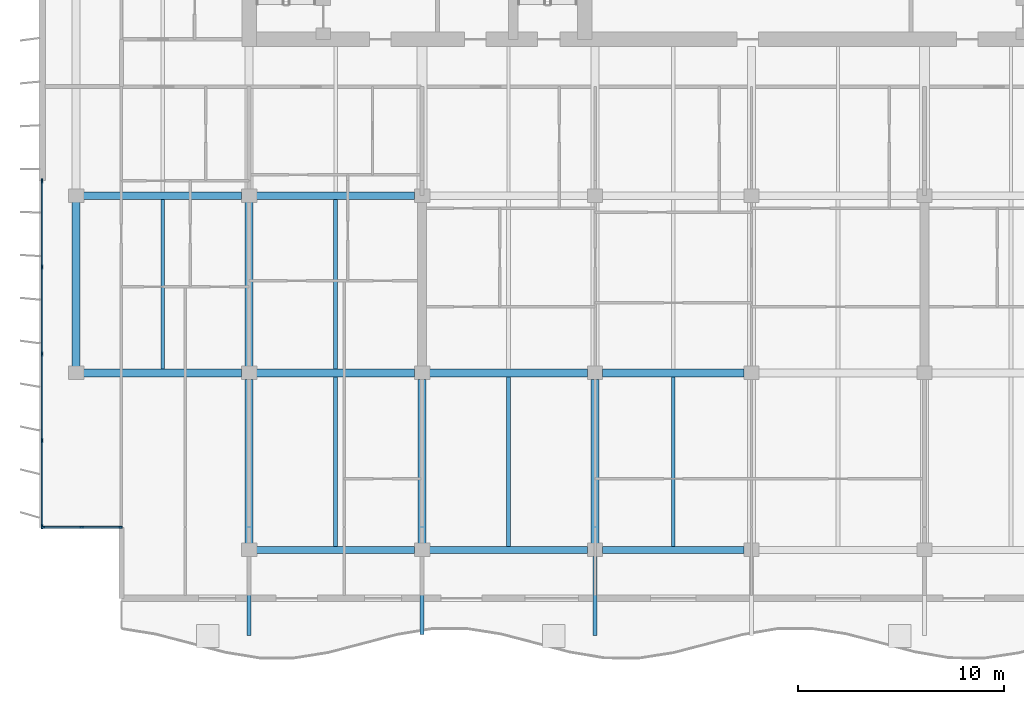
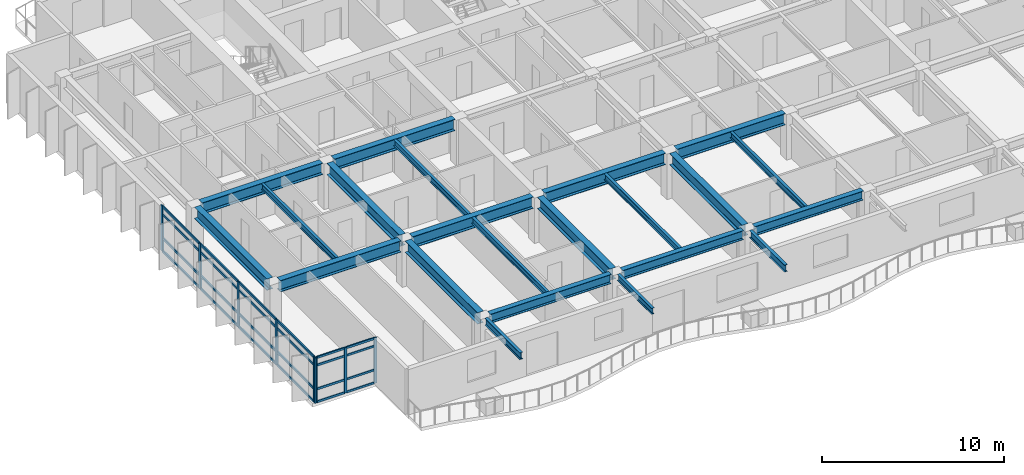
# One storey, part 2 of 16: 32 members, 22 beams, 2 elements without a shape of their own.
"""IFC4 building model written with IfcOpenShell, lengths in metres."""

from ifc_helpers import new_model, si_unit, direction, frame, origin, origin_2d, place, context, subcontext, project, spatial, rectangle, i_section, extrude, material, layer, layer_set, material_profile, profile_set, type_object, element, aggregate, save


model = new_model("IFC4")

# Units and contexts
model_context = context("Model", 3, precision=1e-05, world=origin(), true_north=direction((0.0, 1.0)))
body_context = subcontext(model_context, "Body", "Model", "MODEL_VIEW")
ifc_project = project(units=[si_unit("LENGTHUNIT", "METRE"), si_unit("AREAUNIT", "SQUARE_METRE"), si_unit("VOLUMEUNIT", "CUBIC_METRE"), si_unit("PLANEANGLEUNIT", "RADIAN"), si_unit("MASSUNIT", "GRAM", prefix="KILO")], contexts=[model_context])

# Site, building, storey
site_placement = place(None, origin())
site = spatial("IfcSite", under=ifc_project, at=site_placement, CompositionType="ELEMENT")
building_placement = place(site_placement, origin())
building = spatial("IfcBuilding", under=site, at=building_placement, Name="Caelmar Bay Residences", CompositionType="ELEMENT")
storey_placement = place(building_placement, frame((0.0, 0.0, 252.89990234375)))
storey = spatial("IfcBuildingStorey", under=building, at=storey_placement, Name="L71", CompositionType="ELEMENT", Elevation=252.89990234375)

# Beams
ifc_material_1 = material(Name="Steel ASTM A992 Grade 50", Category="steel")
ifc_material_profile_1 = material_profile(ifc_material_1, i_section(OverallWidth=0.177978515625, OverallDepth=0.406005859375, WebThickness=0.0078125, FlangeThickness=0.0126953125, FilletRadius=0.0087890625, at=origin_2d()), Name="W16X40")
ifc_profile_set_1 = profile_set([ifc_material_profile_1], Name="Steel ASTM A992 Grade 50")
beam_type_1 = type_object("IfcBeamType", Name="BM-BAL-W16X40", PredefinedType="JOIST", material=ifc_profile_set_1)
for number, where, z_axis, x_axis, name in (
    (1, (22.5, 12.362548828125, 2.84716796875), (0.0, 1.0, 0.0), (-1.0, 0.0, 0.0), "L71 Composite Floor Joist 1"),
    (2, (30.89990234375, 12.362548828125, 2.84716796875), (0.0, 1.0, 0.0), (-1.0, 0.0, 0.0), "L71 Composite Floor Joist 2"),
    (3, (38.89990234375, 12.362548828125, 2.84716796875), (0.0, 1.0, 0.0), (-1.0, 0.0, 0.0), "L71 Composite Floor Joist 3"),
):
    element("IfcBeam", number, at=place(storey_placement, frame(where, z_axis=z_axis, x_axis=x_axis)), inside=storey, type_object=beam_type_1, Name=name, PredefinedType="JOIST", context=body_context, shape_type="SweptSolid", body=[
        extrude(i_section(OverallWidth=0.177978515625, OverallDepth=0.406005859375, WebThickness=0.0078125, FlangeThickness=0.0126953125, FilletRadius=0.0087890625, at=origin_2d()), origin(), (0.0, 0.0, 1.0), 8.2470703125),
    ])
for number, where, z_axis, x_axis, name in (
    (4, (14.10009765625, 20.990478515625, 2.84716796875), (0.0, 1.0, 0.0), (-1.0, 0.0, 0.0), "L71 Composite Floor Joist 6"),
    (5, (22.5, 20.990478515625, 2.84716796875), (0.0, 1.0, 0.0), (-1.0, 0.0, 0.0), "L71 Composite Floor Joist 7"),
):
    element("IfcBeam", number, at=place(storey_placement, frame(where, z_axis=z_axis, x_axis=x_axis)), inside=storey, type_object=beam_type_1, Name=name, PredefinedType="JOIST", context=body_context, shape_type="SweptSolid", body=[
        extrude(i_section(OverallWidth=0.177978515625, OverallDepth=0.406005859375, WebThickness=0.0078125, FlangeThickness=0.0126953125, FilletRadius=0.0087890625, at=origin_2d()), origin(), (0.0, 0.0, 1.0), 8.218994140625),
    ])
beam_1_placement = place(storey_placement, frame((26.699951171875, 11.885009765625, 2.84716796875), z_axis=(0.0, -1.0, 0.0), x_axis=(1.0, 0.0, 0.0)))
element("IfcBeam", 6, at=beam_1_placement, inside=storey, type_object=beam_type_1, Name="L72 South Balcony Cantilever Bracket 2", PredefinedType="JOIST", context=body_context, shape_type="SweptSolid", body=[
    extrude(i_section(OverallWidth=0.177978515625, OverallDepth=0.406005859375, WebThickness=0.0078125, FlangeThickness=0.0126953125, FilletRadius=0.0087890625, at=origin_2d()), origin(), (0.0, 0.0, 1.0), 3.789794921875),
])
ifc_material_profile_2 = material_profile(ifc_material_1, i_section(OverallWidth=0.193115234375, OverallDepth=0.467041015625, WebThickness=0.011474609375, FlangeThickness=0.01904296875, FilletRadius=0.01025390625, at=origin_2d()), Name="W18X65")
ifc_profile_set_2 = profile_set([ifc_material_profile_2], Name="Steel ASTM A992 Grade 50")
beam_type_2 = type_object("IfcBeamType", Name="BM-BAL-W18X65", PredefinedType="BEAM", material=ifc_profile_set_2)
for number, where, z_axis, x_axis, name in (
    (7, (18.300048828125, 11.885009765625, 2.816650390625), (0.0, -1.0, 0.0), (1.0, 0.0, 0.0), "L72 South Balcony Cantilever Bracket 1"),
    (8, (35.10009765625, 11.885009765625, 2.816650390625), (0.0, -1.0, 0.0), (1.0, 0.0, 0.0), "L72 South Balcony Cantilever Bracket 3"),
):
    element("IfcBeam", number, at=place(storey_placement, frame(where, z_axis=z_axis, x_axis=x_axis)), inside=storey, type_object=beam_type_2, Name=name, PredefinedType="BEAM", context=body_context, shape_type="SweptSolid", body=[
        extrude(i_section(OverallWidth=0.193115234375, OverallDepth=0.467041015625, WebThickness=0.011474609375, FlangeThickness=0.01904296875, FilletRadius=0.01025390625, at=origin_2d()), origin(), (0.0, 0.0, 1.0), 3.85009765625),
    ])
ifc_material_profile_3 = material_profile(ifc_material_1, i_section(OverallWidth=0.381103515625, OverallDepth=0.77197265625, WebThickness=0.0166015625, FlangeThickness=0.027099609375, FilletRadius=0.0166015625, at=origin_2d()), Name="W30X173")
ifc_profile_set_3 = profile_set([ifc_material_profile_3], Name="Steel ASTM A992 Grade 50")
beam_type_3 = type_object("IfcBeamType", Name="BM-GRD-W30X173", PredefinedType="BEAM", material=ifc_profile_set_3)
beam_2_placement = place(storey_placement, frame((10.264892578125, 20.800048828125, 2.6640625), z_axis=(1.0, 0.0, 0.0), x_axis=(0.0, 1.0, 0.0)))
element("IfcBeam", 9, at=beam_2_placement, inside=storey, type_object=beam_type_3, Name="L71 East-West Girder Y=20.80 (9.9-18.3)", PredefinedType="BEAM", context=body_context, shape_type="SweptSolid", body=[
    extrude(i_section(OverallWidth=0.381103515625, OverallDepth=0.77197265625, WebThickness=0.0166015625, FlangeThickness=0.027099609375, FilletRadius=0.0166015625, at=origin_2d()), origin(), (0.0, 0.0, 1.0), 7.670166015625),
])
beam_3_placement = place(storey_placement, frame((18.6650390625, 20.800048828125, 2.6640625), z_axis=(1.0, 0.0, 0.0), x_axis=(0.0, 1.0, 0.0)))
element("IfcBeam", 10, at=beam_3_placement, inside=storey, type_object=beam_type_3, Name="L71 East-West Girder Y=20.80 (18.3-26.7)", PredefinedType="BEAM", context=body_context, shape_type="SweptSolid", body=[
    extrude(i_section(OverallWidth=0.381103515625, OverallDepth=0.77197265625, WebThickness=0.0166015625, FlangeThickness=0.027099609375, FilletRadius=0.0166015625, at=origin_2d()), origin(), (0.0, 0.0, 1.0), 7.669921875),
])
beam_4_placement = place(storey_placement, frame((27.06494140625, 20.800048828125, 2.6640625), z_axis=(1.0, 0.0, 0.0), x_axis=(0.0, 1.0, 0.0)))
element("IfcBeam", 11, at=beam_4_placement, inside=storey, type_object=beam_type_3, Name="L71 East-West Girder Y=20.80 (26.7-35.1)", PredefinedType="BEAM", context=body_context, shape_type="SweptSolid", body=[
    extrude(i_section(OverallWidth=0.381103515625, OverallDepth=0.77197265625, WebThickness=0.0166015625, FlangeThickness=0.027099609375, FilletRadius=0.0166015625, at=origin_2d()), origin(), (0.0, 0.0, 1.0), 7.670166015625),
])
beam_5_placement = place(storey_placement, frame((35.465087890625, 20.800048828125, 2.6640625), z_axis=(1.0, 0.0, 0.0), x_axis=(0.0, 1.0, 0.0)))
element("IfcBeam", 12, at=beam_5_placement, inside=storey, type_object=beam_type_3, Name="L71 East-West Girder Y=20.80 (35.1-42.7)", PredefinedType="BEAM", context=body_context, shape_type="SweptSolid", body=[
    extrude(i_section(OverallWidth=0.381103515625, OverallDepth=0.77197265625, WebThickness=0.0166015625, FlangeThickness=0.027099609375, FilletRadius=0.0166015625, at=origin_2d()), origin(), (0.0, 0.0, 1.0), 6.869873046875),
])
beam_6_placement = place(storey_placement, frame((10.264892578125, 29.39990234375, 2.6640625), z_axis=(1.0, 0.0, 0.0), x_axis=(0.0, 1.0, 0.0)))
element("IfcBeam", 13, at=beam_6_placement, inside=storey, type_object=beam_type_3, Name="L71 East-West Girder Y=29.40 (9.9-18.3)", PredefinedType="BEAM", context=body_context, shape_type="SweptSolid", body=[
    extrude(i_section(OverallWidth=0.381103515625, OverallDepth=0.77197265625, WebThickness=0.0166015625, FlangeThickness=0.027099609375, FilletRadius=0.0166015625, at=origin_2d()), origin(), (0.0, 0.0, 1.0), 7.670166015625),
])
beam_7_placement = place(storey_placement, frame((18.6650390625, 29.39990234375, 2.6640625), z_axis=(1.0, 0.0, 0.0), x_axis=(0.0, 1.0, 0.0)))
element("IfcBeam", 14, at=beam_7_placement, inside=storey, type_object=beam_type_3, Name="L71 East-West Girder Y=29.40 (18.3-26.7)", PredefinedType="BEAM", context=body_context, shape_type="SweptSolid", body=[
    extrude(i_section(OverallWidth=0.381103515625, OverallDepth=0.77197265625, WebThickness=0.0166015625, FlangeThickness=0.027099609375, FilletRadius=0.0166015625, at=origin_2d()), origin(), (0.0, 0.0, 1.0), 7.669921875),
])
beam_8_placement = place(storey_placement, frame((9.89990234375, 21.114990234375, 2.6640625), z_axis=(0.0, 1.0, 0.0), x_axis=(-1.0, 0.0, 0.0)))
element("IfcBeam", 15, at=beam_8_placement, inside=storey, type_object=beam_type_3, Name="L71 North-South Girder X=9.90 (20.8-29.4)", PredefinedType="BEAM", context=body_context, shape_type="SweptSolid", body=[
    extrude(i_section(OverallWidth=0.381103515625, OverallDepth=0.77197265625, WebThickness=0.0166015625, FlangeThickness=0.027099609375, FilletRadius=0.0166015625, at=origin_2d()), origin(), (0.0, 0.0, 1.0), 7.969970703125),
])
beam_9_placement = place(storey_placement, frame((18.300048828125, 12.514892578125, 2.6640625), z_axis=(0.0, 1.0, 0.0), x_axis=(-1.0, 0.0, 0.0)))
element("IfcBeam", 16, at=beam_9_placement, inside=storey, type_object=beam_type_3, Name="L71 North-South Girder X=18.30 (12.2-20.8)", PredefinedType="BEAM", context=body_context, shape_type="SweptSolid", body=[
    extrude(i_section(OverallWidth=0.381103515625, OverallDepth=0.77197265625, WebThickness=0.0166015625, FlangeThickness=0.027099609375, FilletRadius=0.0166015625, at=origin_2d()), origin(), (0.0, 0.0, 1.0), 7.97021484375),
])
beam_10_placement = place(storey_placement, frame((18.300048828125, 21.114990234375, 2.6640625), z_axis=(0.0, 1.0, 0.0), x_axis=(-1.0, 0.0, 0.0)))
element("IfcBeam", 17, at=beam_10_placement, inside=storey, type_object=beam_type_3, Name="L71 North-South Girder X=18.30 (20.8-29.4)", PredefinedType="BEAM", context=body_context, shape_type="SweptSolid", body=[
    extrude(i_section(OverallWidth=0.381103515625, OverallDepth=0.77197265625, WebThickness=0.0166015625, FlangeThickness=0.027099609375, FilletRadius=0.0166015625, at=origin_2d()), origin(), (0.0, 0.0, 1.0), 7.969970703125),
])
for number, where, z_axis, x_axis, name in (
    (18, (26.699951171875, 12.514892578125, 2.6640625), (0.0, 1.0, 0.0), (-1.0, 0.0, 0.0), "L71 North-South Girder X=26.70 (12.2-20.8)"),
    (19, (35.10009765625, 12.514892578125, 2.6640625), (0.0, 1.0, 0.0), (-1.0, 0.0, 0.0), "L71 North-South Girder X=35.10 (12.2-20.8)"),
):
    element("IfcBeam", number, at=place(storey_placement, frame(where, z_axis=z_axis, x_axis=x_axis)), inside=storey, type_object=beam_type_3, Name=name, PredefinedType="BEAM", context=body_context, shape_type="SweptSolid", body=[
        extrude(i_section(OverallWidth=0.381103515625, OverallDepth=0.77197265625, WebThickness=0.0166015625, FlangeThickness=0.027099609375, FilletRadius=0.0166015625, at=origin_2d()), origin(), (0.0, 0.0, 1.0), 7.97021484375),
    ])
ifc_material_profile_4 = material_profile(ifc_material_1, i_section(OverallWidth=0.324951171875, OverallDepth=0.616943359375, WebThickness=0.013916015625, FlangeThickness=0.021484375, FilletRadius=0.0126953125, at=origin_2d()), Name="W24X117")
ifc_profile_set_4 = profile_set([ifc_material_profile_4], Name="Steel ASTM A992 Grade 50")
beam_type_4 = type_object("IfcBeamType", Name="BM-SPN-W24X117", PredefinedType="SPANDREL", material=ifc_profile_set_4)
beam_11_placement = place(storey_placement, frame((18.6650390625, 12.199951171875, 2.74169921875), z_axis=(1.0, 0.0, 0.0), x_axis=(0.0, 1.0, 0.0)))
element("IfcBeam", 20, at=beam_11_placement, inside=storey, type_object=beam_type_4, Name="L71 East-West Girder Y=12.20 (18.3-26.7)", PredefinedType="SPANDREL", context=body_context, shape_type="SweptSolid", body=[
    extrude(i_section(OverallWidth=0.324951171875, OverallDepth=0.616943359375, WebThickness=0.013916015625, FlangeThickness=0.021484375, FilletRadius=0.0126953125, at=origin_2d()), origin(), (0.0, 0.0, 1.0), 7.669921875),
])
beam_12_placement = place(storey_placement, frame((27.06494140625, 12.199951171875, 2.74169921875), z_axis=(1.0, 0.0, 0.0), x_axis=(0.0, 1.0, 0.0)))
element("IfcBeam", 21, at=beam_12_placement, inside=storey, type_object=beam_type_4, Name="L71 East-West Girder Y=12.20 (26.7-35.1)", PredefinedType="SPANDREL", context=body_context, shape_type="SweptSolid", body=[
    extrude(i_section(OverallWidth=0.324951171875, OverallDepth=0.616943359375, WebThickness=0.013916015625, FlangeThickness=0.021484375, FilletRadius=0.0126953125, at=origin_2d()), origin(), (0.0, 0.0, 1.0), 7.670166015625),
])
beam_13_placement = place(storey_placement, frame((35.465087890625, 12.199951171875, 2.74169921875), z_axis=(1.0, 0.0, 0.0), x_axis=(0.0, 1.0, 0.0)))
element("IfcBeam", 22, at=beam_13_placement, inside=storey, type_object=beam_type_4, Name="L71 East-West Girder Y=12.20 (35.1-42.7)", PredefinedType="SPANDREL", context=body_context, shape_type="SweptSolid", body=[
    extrude(i_section(OverallWidth=0.324951171875, OverallDepth=0.616943359375, WebThickness=0.013916015625, FlangeThickness=0.021484375, FilletRadius=0.0126953125, at=origin_2d()), origin(), (0.0, 0.0, 1.0), 6.869873046875),
])

# Curtain wall, members
ifc_material_2 = material(Name="Anodised bronze aluminium 6063-T6 and laminated glass", Category="aluminium")
ifc_layer_1 = layer(ifc_material_2, 0.179931640625)
ifc_layer_set_1 = layer_set([ifc_layer_1], Name="Anodised bronze aluminium 6063-T6 and laminated glass")
curtain_wall_type_1 = type_object("IfcCurtainWallType", Name="CW6-NTC", PredefinedType="NOTDEFINED", material=ifc_layer_set_1)
curtain_wall_1_placement = place(storey_placement, origin())
curtain_wall_1 = element("IfcCurtainWall", 23, at=curtain_wall_1_placement, inside=storey, type_object=curtain_wall_type_1, Name="CW6 curtain wall L71", PredefinedType="NOTDEFINED")
ifc_material_3 = material(Name="Anodised bronze aluminium 6063-T6", Category="aluminium")
ifc_material_profile_5 = material_profile(ifc_material_3, rectangle(XDim=0.080078125, YDim=0.179931640625, at=origin_2d()), Name="CWM-80X180")
ifc_profile_set_5 = profile_set([ifc_material_profile_5], Name="Anodised bronze aluminium 6063-T6")
member_type_1 = type_object("IfcMemberType", Name="CWM-180", PredefinedType="MULLION", material=ifc_profile_set_5)
member_1_placement = place(storey_placement, frame((8.2900390625, 13.300048828125, 0.0), z_axis=(0.0, 0.0, 1.0), x_axis=(0.0, 1.0, 0.0)))
member_1 = element("IfcMember", 24, at=member_1_placement, type_object=member_type_1, Name="CW6 mullion 1", PredefinedType="MULLION", context=body_context, shape_type="SweptSolid", body=[
    extrude(rectangle(XDim=0.080078125, YDim=0.179931640625, at=origin_2d()), origin(), (0.0, 0.0, 1.0), 3.050048828125),
])
member_2_placement = place(storey_placement, frame((10.175048828125, 13.300048828125, 0.0), z_axis=(0.0, 0.0, 1.0), x_axis=(0.0, 1.0, 0.0)))
member_2 = element("IfcMember", 25, at=member_2_placement, type_object=member_type_1, Name="CW6 mullion 2", PredefinedType="MULLION", context=body_context, shape_type="SweptSolid", body=[
    extrude(rectangle(XDim=0.080078125, YDim=0.179931640625, at=origin_2d()), origin(), (0.0, 0.0, 1.0), 3.050048828125),
])
member_3_placement = place(storey_placement, frame((12.06005859375, 13.300048828125, 0.0), z_axis=(0.0, 0.0, 1.0), x_axis=(0.0, 1.0, 0.0)))
member_3 = element("IfcMember", 26, at=member_3_placement, type_object=member_type_1, Name="CW6 mullion 3", PredefinedType="MULLION", context=body_context, shape_type="SweptSolid", body=[
    extrude(rectangle(XDim=0.080078125, YDim=0.179931640625, at=origin_2d()), origin(), (0.0, 0.0, 1.0), 3.050048828125),
])

ifc_layer_2 = layer(ifc_material_2, 0.179931640625)
ifc_layer_set_2 = layer_set([ifc_layer_2], Name="Anodised bronze aluminium 6063-T6 and laminated glass")
curtain_wall_type_2 = type_object("IfcCurtainWallType", Name="CW5-Z4", PredefinedType="NOTDEFINED", material=ifc_layer_set_2)
curtain_wall_2_placement = place(storey_placement, origin())
curtain_wall_2 = element("IfcCurtainWall", 27, at=curtain_wall_2_placement, inside=storey, type_object=curtain_wall_type_2, Name="CW5 curtain wall L71", PredefinedType="NOTDEFINED")
ifc_material_profile_6 = material_profile(ifc_material_3, rectangle(XDim=0.080078125, YDim=0.219970703125, at=origin_2d()), Name="CWM-80X220")
ifc_profile_set_6 = profile_set([ifc_material_profile_6], Name="Anodised bronze aluminium 6063-T6")
member_type_2 = type_object("IfcMemberType", Name="CWM-220", PredefinedType="MULLION", material=ifc_profile_set_6)
member_4_placement = place(storey_placement, frame((8.25, 13.340087890625, 0.0), z_axis=(0.0, 0.0, 1.0), x_axis=(-1.0, 0.0, 0.0)))
member_4 = element("IfcMember", 28, at=member_4_placement, type_object=member_type_2, Name="CW5 mullion 1", PredefinedType="MULLION", context=body_context, shape_type="SweptSolid", body=[
    extrude(rectangle(XDim=0.080078125, YDim=0.219970703125, at=origin_2d()), origin(), (0.0, 0.0, 1.0), 3.050048828125),
])
member_5_placement = place(storey_placement, frame((8.25, 17.512451171875, 0.0), z_axis=(0.0, 0.0, 1.0), x_axis=(-1.0, 0.0, 0.0)))
member_5 = element("IfcMember", 29, at=member_5_placement, type_object=member_type_2, Name="CW5 mullion 2", PredefinedType="MULLION", context=body_context, shape_type="SweptSolid", body=[
    extrude(rectangle(XDim=0.080078125, YDim=0.219970703125, at=origin_2d()), origin(), (0.0, 0.0, 1.0), 3.050048828125),
])
member_6_placement = place(storey_placement, frame((8.25, 21.72509765625, 0.0), z_axis=(0.0, 0.0, 1.0), x_axis=(-1.0, 0.0, 0.0)))
member_6 = element("IfcMember", 30, at=member_6_placement, type_object=member_type_2, Name="CW5 mullion 3", PredefinedType="MULLION", context=body_context, shape_type="SweptSolid", body=[
    extrude(rectangle(XDim=0.080078125, YDim=0.219970703125, at=origin_2d()), origin(), (0.0, 0.0, 1.0), 3.050048828125),
])
member_7_placement = place(storey_placement, frame((8.25, 25.9375, 0.0), z_axis=(0.0, 0.0, 1.0), x_axis=(-1.0, 0.0, 0.0)))
member_7 = element("IfcMember", 31, at=member_7_placement, type_object=member_type_2, Name="CW5 mullion 4", PredefinedType="MULLION", context=body_context, shape_type="SweptSolid", body=[
    extrude(rectangle(XDim=0.080078125, YDim=0.219970703125, at=origin_2d()), origin(), (0.0, 0.0, 1.0), 3.050048828125),
])
member_8_placement = place(storey_placement, frame((8.25, 30.110107421875, 0.0), z_axis=(0.0, 0.0, 1.0), x_axis=(-1.0, 0.0, 0.0)))
member_8 = element("IfcMember", 32, at=member_8_placement, type_object=member_type_2, Name="CW5 mullion 5", PredefinedType="MULLION", context=body_context, shape_type="SweptSolid", body=[
    extrude(rectangle(XDim=0.080078125, YDim=0.219970703125, at=origin_2d()), origin(), (0.0, 0.0, 1.0), 3.050048828125),
])

# Member
ifc_material_profile_7 = material_profile(ifc_material_3, rectangle(XDim=0.080078125, YDim=0.139892578125, at=origin_2d()), Name="CWT-80X140")
ifc_profile_set_7 = profile_set([ifc_material_profile_7], Name="Anodised bronze aluminium 6063-T6")
member_type_3 = type_object("IfcMemberType", Name="CWT-140", PredefinedType="NOTDEFINED", material=ifc_profile_set_7)
member_9_placement = place(storey_placement, frame((8.330078125, 13.300048828125, 0.0400390625), z_axis=(1.0, 0.0, 0.0), x_axis=(0.0, 1.0, 0.0)))
member_9 = element("IfcMember", 33, at=member_9_placement, type_object=member_type_3, Name="CW6 transom 1.1", ObjectType="TRANSOM", PredefinedType="USERDEFINED", context=body_context, shape_type="SweptSolid", body=[
    extrude(rectangle(XDim=0.080078125, YDim=0.139892578125, at=origin_2d()), origin(), (0.0, 0.0, 1.0), 1.804931640625),
])

member_10_placement = place(storey_placement, frame((8.330078125, 13.300048828125, 0.900146484375), z_axis=(1.0, 0.0, 0.0), x_axis=(0.0, 1.0, 0.0)))
member_10 = element("IfcMember", 34, at=member_10_placement, type_object=member_type_3, Name="CW6 transom 1.2", ObjectType="TRANSOM", PredefinedType="USERDEFINED", context=body_context, shape_type="SweptSolid", body=[
    extrude(rectangle(XDim=0.080078125, YDim=0.139892578125, at=origin_2d()), origin(), (0.0, 0.0, 1.0), 1.804931640625),
])

member_11_placement = place(storey_placement, frame((8.330078125, 13.300048828125, 2.5), z_axis=(1.0, 0.0, 0.0), x_axis=(0.0, 1.0, 0.0)))
member_11 = element("IfcMember", 35, at=member_11_placement, type_object=member_type_3, Name="CW6 transom 1.3", ObjectType="TRANSOM", PredefinedType="USERDEFINED", context=body_context, shape_type="SweptSolid", body=[
    extrude(rectangle(XDim=0.080078125, YDim=0.139892578125, at=origin_2d()), origin(), (0.0, 0.0, 1.0), 1.804931640625),
])

member_12_placement = place(storey_placement, frame((8.330078125, 13.300048828125, 3.010009765625), z_axis=(1.0, 0.0, 0.0), x_axis=(0.0, 1.0, 0.0)))
member_12 = element("IfcMember", 36, at=member_12_placement, type_object=member_type_3, Name="CW6 transom 1.4", ObjectType="TRANSOM", PredefinedType="USERDEFINED", context=body_context, shape_type="SweptSolid", body=[
    extrude(rectangle(XDim=0.080078125, YDim=0.139892578125, at=origin_2d()), origin(), (0.0, 0.0, 1.0), 1.804931640625),
])

member_13_placement = place(storey_placement, frame((10.215087890625, 13.300048828125, 0.0400390625), z_axis=(1.0, 0.0, 0.0), x_axis=(0.0, 1.0, 0.0)))
member_13 = element("IfcMember", 37, at=member_13_placement, type_object=member_type_3, Name="CW6 transom 2.1", ObjectType="TRANSOM", PredefinedType="USERDEFINED", context=body_context, shape_type="SweptSolid", body=[
    extrude(rectangle(XDim=0.080078125, YDim=0.139892578125, at=origin_2d()), origin(), (0.0, 0.0, 1.0), 1.804931640625),
])

member_14_placement = place(storey_placement, frame((10.215087890625, 13.300048828125, 0.900146484375), z_axis=(1.0, 0.0, 0.0), x_axis=(0.0, 1.0, 0.0)))
member_14 = element("IfcMember", 38, at=member_14_placement, type_object=member_type_3, Name="CW6 transom 2.2", ObjectType="TRANSOM", PredefinedType="USERDEFINED", context=body_context, shape_type="SweptSolid", body=[
    extrude(rectangle(XDim=0.080078125, YDim=0.139892578125, at=origin_2d()), origin(), (0.0, 0.0, 1.0), 1.804931640625),
])

member_15_placement = place(storey_placement, frame((10.215087890625, 13.300048828125, 2.5), z_axis=(1.0, 0.0, 0.0), x_axis=(0.0, 1.0, 0.0)))
member_15 = element("IfcMember", 39, at=member_15_placement, type_object=member_type_3, Name="CW6 transom 2.3", ObjectType="TRANSOM", PredefinedType="USERDEFINED", context=body_context, shape_type="SweptSolid", body=[
    extrude(rectangle(XDim=0.080078125, YDim=0.139892578125, at=origin_2d()), origin(), (0.0, 0.0, 1.0), 1.804931640625),
])

member_16_placement = place(storey_placement, frame((10.215087890625, 13.300048828125, 3.010009765625), z_axis=(1.0, 0.0, 0.0), x_axis=(0.0, 1.0, 0.0)))
member_16 = element("IfcMember", 40, at=member_16_placement, type_object=member_type_3, Name="CW6 transom 2.4", ObjectType="TRANSOM", PredefinedType="USERDEFINED", context=body_context, shape_type="SweptSolid", body=[
    extrude(rectangle(XDim=0.080078125, YDim=0.139892578125, at=origin_2d()), origin(), (0.0, 0.0, 1.0), 1.804931640625),
])

aggregate(curtain_wall_1, [member_1, member_2, member_3, member_9, member_10, member_11, member_12, member_13, member_14, member_15, member_16])

ifc_material_profile_8 = material_profile(ifc_material_3, rectangle(XDim=0.080078125, YDim=0.159912109375, at=origin_2d()), Name="CWT-80X160")
ifc_profile_set_8 = profile_set([ifc_material_profile_8], Name="Anodised bronze aluminium 6063-T6")
member_type_4 = type_object("IfcMemberType", Name="CWT-160", PredefinedType="NOTDEFINED", material=ifc_profile_set_8)
member_17_placement = place(storey_placement, frame((8.25, 13.3798828125, 0.0400390625), z_axis=(0.0, 1.0, 0.0), x_axis=(-1.0, 0.0, 0.0)))
member_17 = element("IfcMember", 41, at=member_17_placement, type_object=member_type_4, Name="CW5 transom 1.1", ObjectType="TRANSOM", PredefinedType="USERDEFINED", context=body_context, shape_type="SweptSolid", body=[
    extrude(rectangle(XDim=0.080078125, YDim=0.159912109375, at=origin_2d()), origin(), (0.0, 0.0, 1.0), 4.092529296875),
])

member_18_placement = place(storey_placement, frame((8.25, 13.3798828125, 0.900146484375), z_axis=(0.0, 1.0, 0.0), x_axis=(-1.0, 0.0, 0.0)))
member_18 = element("IfcMember", 42, at=member_18_placement, type_object=member_type_4, Name="CW5 transom 1.2", ObjectType="TRANSOM", PredefinedType="USERDEFINED", context=body_context, shape_type="SweptSolid", body=[
    extrude(rectangle(XDim=0.080078125, YDim=0.159912109375, at=origin_2d()), origin(), (0.0, 0.0, 1.0), 4.092529296875),
])

member_19_placement = place(storey_placement, frame((8.25, 13.3798828125, 2.5), z_axis=(0.0, 1.0, 0.0), x_axis=(-1.0, 0.0, 0.0)))
member_19 = element("IfcMember", 43, at=member_19_placement, type_object=member_type_4, Name="CW5 transom 1.3", ObjectType="TRANSOM", PredefinedType="USERDEFINED", context=body_context, shape_type="SweptSolid", body=[
    extrude(rectangle(XDim=0.080078125, YDim=0.159912109375, at=origin_2d()), origin(), (0.0, 0.0, 1.0), 4.092529296875),
])

member_20_placement = place(storey_placement, frame((8.25, 13.3798828125, 3.010009765625), z_axis=(0.0, 1.0, 0.0), x_axis=(-1.0, 0.0, 0.0)))
member_20 = element("IfcMember", 44, at=member_20_placement, type_object=member_type_4, Name="CW5 transom 1.4", ObjectType="TRANSOM", PredefinedType="USERDEFINED", context=body_context, shape_type="SweptSolid", body=[
    extrude(rectangle(XDim=0.080078125, YDim=0.159912109375, at=origin_2d()), origin(), (0.0, 0.0, 1.0), 4.092529296875),
])

member_21_placement = place(storey_placement, frame((8.25, 17.552490234375, 0.0400390625), z_axis=(0.0, 1.0, 0.0), x_axis=(-1.0, 0.0, 0.0)))
member_21 = element("IfcMember", 45, at=member_21_placement, type_object=member_type_4, Name="CW5 transom 2.1", ObjectType="TRANSOM", PredefinedType="USERDEFINED", context=body_context, shape_type="SweptSolid", body=[
    extrude(rectangle(XDim=0.080078125, YDim=0.159912109375, at=origin_2d()), origin(), (0.0, 0.0, 1.0), 4.132568359375),
])

member_22_placement = place(storey_placement, frame((8.25, 17.552490234375, 0.900146484375), z_axis=(0.0, 1.0, 0.0), x_axis=(-1.0, 0.0, 0.0)))
member_22 = element("IfcMember", 46, at=member_22_placement, type_object=member_type_4, Name="CW5 transom 2.2", ObjectType="TRANSOM", PredefinedType="USERDEFINED", context=body_context, shape_type="SweptSolid", body=[
    extrude(rectangle(XDim=0.080078125, YDim=0.159912109375, at=origin_2d()), origin(), (0.0, 0.0, 1.0), 4.132568359375),
])

member_23_placement = place(storey_placement, frame((8.25, 17.552490234375, 2.5), z_axis=(0.0, 1.0, 0.0), x_axis=(-1.0, 0.0, 0.0)))
member_23 = element("IfcMember", 47, at=member_23_placement, type_object=member_type_4, Name="CW5 transom 2.3", ObjectType="TRANSOM", PredefinedType="USERDEFINED", context=body_context, shape_type="SweptSolid", body=[
    extrude(rectangle(XDim=0.080078125, YDim=0.159912109375, at=origin_2d()), origin(), (0.0, 0.0, 1.0), 4.132568359375),
])

member_24_placement = place(storey_placement, frame((8.25, 17.552490234375, 3.010009765625), z_axis=(0.0, 1.0, 0.0), x_axis=(-1.0, 0.0, 0.0)))
member_24 = element("IfcMember", 48, at=member_24_placement, type_object=member_type_4, Name="CW5 transom 2.4", ObjectType="TRANSOM", PredefinedType="USERDEFINED", context=body_context, shape_type="SweptSolid", body=[
    extrude(rectangle(XDim=0.080078125, YDim=0.159912109375, at=origin_2d()), origin(), (0.0, 0.0, 1.0), 4.132568359375),
])

member_25_placement = place(storey_placement, frame((8.25, 21.764892578125, 0.0400390625), z_axis=(0.0, 1.0, 0.0), x_axis=(-1.0, 0.0, 0.0)))
member_25 = element("IfcMember", 49, at=member_25_placement, type_object=member_type_4, Name="CW5 transom 3.1", ObjectType="TRANSOM", PredefinedType="USERDEFINED", context=body_context, shape_type="SweptSolid", body=[
    extrude(rectangle(XDim=0.080078125, YDim=0.159912109375, at=origin_2d()), origin(), (0.0, 0.0, 1.0), 4.132568359375),
])

member_26_placement = place(storey_placement, frame((8.25, 21.764892578125, 0.900146484375), z_axis=(0.0, 1.0, 0.0), x_axis=(-1.0, 0.0, 0.0)))
member_26 = element("IfcMember", 50, at=member_26_placement, type_object=member_type_4, Name="CW5 transom 3.2", ObjectType="TRANSOM", PredefinedType="USERDEFINED", context=body_context, shape_type="SweptSolid", body=[
    extrude(rectangle(XDim=0.080078125, YDim=0.159912109375, at=origin_2d()), origin(), (0.0, 0.0, 1.0), 4.132568359375),
])

member_27_placement = place(storey_placement, frame((8.25, 21.764892578125, 2.5), z_axis=(0.0, 1.0, 0.0), x_axis=(-1.0, 0.0, 0.0)))
member_27 = element("IfcMember", 51, at=member_27_placement, type_object=member_type_4, Name="CW5 transom 3.3", ObjectType="TRANSOM", PredefinedType="USERDEFINED", context=body_context, shape_type="SweptSolid", body=[
    extrude(rectangle(XDim=0.080078125, YDim=0.159912109375, at=origin_2d()), origin(), (0.0, 0.0, 1.0), 4.132568359375),
])

member_28_placement = place(storey_placement, frame((8.25, 21.764892578125, 3.010009765625), z_axis=(0.0, 1.0, 0.0), x_axis=(-1.0, 0.0, 0.0)))
member_28 = element("IfcMember", 52, at=member_28_placement, type_object=member_type_4, Name="CW5 transom 3.4", ObjectType="TRANSOM", PredefinedType="USERDEFINED", context=body_context, shape_type="SweptSolid", body=[
    extrude(rectangle(XDim=0.080078125, YDim=0.159912109375, at=origin_2d()), origin(), (0.0, 0.0, 1.0), 4.132568359375),
])

member_29_placement = place(storey_placement, frame((8.25, 25.9775390625, 0.0400390625), z_axis=(0.0, 1.0, 0.0), x_axis=(-1.0, 0.0, 0.0)))
member_29 = element("IfcMember", 53, at=member_29_placement, type_object=member_type_4, Name="CW5 transom 4.1", ObjectType="TRANSOM", PredefinedType="USERDEFINED", context=body_context, shape_type="SweptSolid", body=[
    extrude(rectangle(XDim=0.080078125, YDim=0.159912109375, at=origin_2d()), origin(), (0.0, 0.0, 1.0), 4.092529296875),
])

member_30_placement = place(storey_placement, frame((8.25, 25.9775390625, 0.900146484375), z_axis=(0.0, 1.0, 0.0), x_axis=(-1.0, 0.0, 0.0)))
member_30 = element("IfcMember", 54, at=member_30_placement, type_object=member_type_4, Name="CW5 transom 4.2", ObjectType="TRANSOM", PredefinedType="USERDEFINED", context=body_context, shape_type="SweptSolid", body=[
    extrude(rectangle(XDim=0.080078125, YDim=0.159912109375, at=origin_2d()), origin(), (0.0, 0.0, 1.0), 4.092529296875),
])

member_31_placement = place(storey_placement, frame((8.25, 25.9775390625, 2.5), z_axis=(0.0, 1.0, 0.0), x_axis=(-1.0, 0.0, 0.0)))
member_31 = element("IfcMember", 55, at=member_31_placement, type_object=member_type_4, Name="CW5 transom 4.3", ObjectType="TRANSOM", PredefinedType="USERDEFINED", context=body_context, shape_type="SweptSolid", body=[
    extrude(rectangle(XDim=0.080078125, YDim=0.159912109375, at=origin_2d()), origin(), (0.0, 0.0, 1.0), 4.092529296875),
])

member_32_placement = place(storey_placement, frame((8.25, 25.9775390625, 3.010009765625), z_axis=(0.0, 1.0, 0.0), x_axis=(-1.0, 0.0, 0.0)))
member_32 = element("IfcMember", 56, at=member_32_placement, type_object=member_type_4, Name="CW5 transom 4.4", ObjectType="TRANSOM", PredefinedType="USERDEFINED", context=body_context, shape_type="SweptSolid", body=[
    extrude(rectangle(XDim=0.080078125, YDim=0.159912109375, at=origin_2d()), origin(), (0.0, 0.0, 1.0), 4.092529296875),
])

aggregate(curtain_wall_2, [member_4, member_5, member_6, member_7, member_8, member_17, member_18, member_19, member_20, member_21, member_22, member_23, member_24, member_25, member_26, member_27, member_28, member_29, member_30, member_31, member_32])

save(model, "model.ifc")
